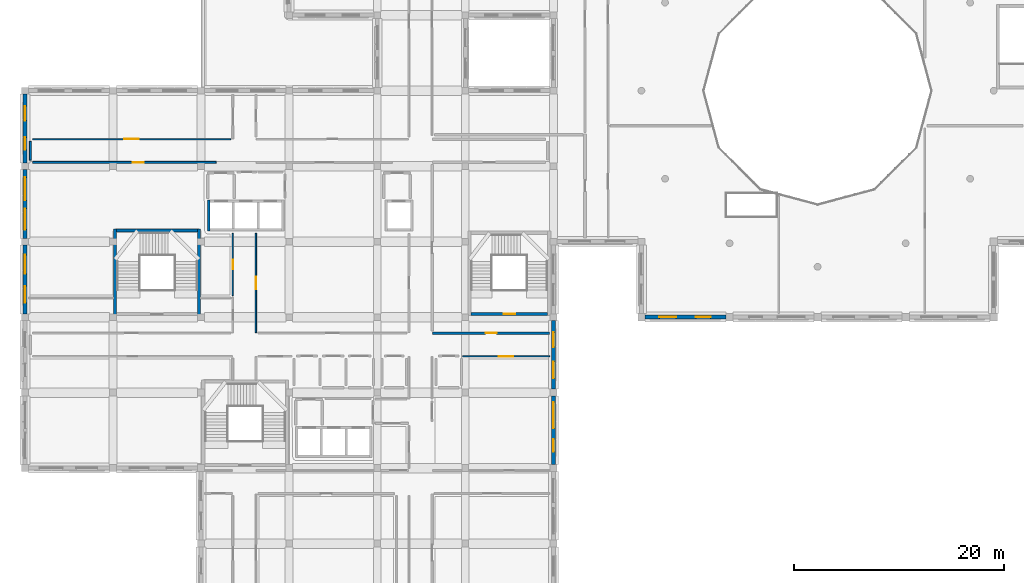
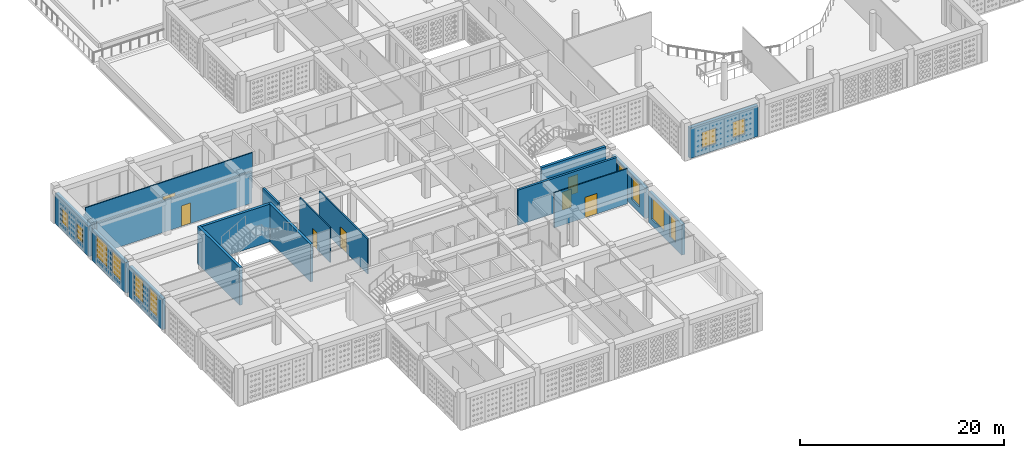
# One storey, part 7 of 47: 18 walls, 12 windows, 7 doors, 19 openings.
"""IFC4 building model written with IfcOpenShell, lengths in metres."""

from ifc_helpers import new_model, si_unit, derived_unit, direction, frame, frame_2d, origin, place, context, subcontext, project, spatial, rectangle, extrude, material, layer, layer_set, type_object, element, fill, save


model = new_model("IFC4")

# Units and contexts
model_context = context("Model", 3, precision=1e-05, world=origin(), true_north=direction((0.0, 1.0)))
body_context = subcontext(model_context, "Body", "Model", "MODEL_VIEW")
ifc_project = project(units=[si_unit("LENGTHUNIT", "METRE"), si_unit("AREAUNIT", "SQUARE_METRE"), si_unit("VOLUMEUNIT", "CUBIC_METRE"), si_unit("PLANEANGLEUNIT", "RADIAN"), si_unit("MASSUNIT", "GRAM", prefix="KILO"), derived_unit("THERMALTRANSMITTANCEUNIT", [(si_unit("POWERUNIT", "WATT"), 1), (si_unit("LENGTHUNIT", "METRE"), -2), (si_unit("THERMODYNAMICTEMPERATUREUNIT", "KELVIN"), -1)])], contexts=[model_context])

# Site, building, storey
site_placement = place(None, origin())
site = spatial("IfcSite", under=ifc_project, at=site_placement, CompositionType="ELEMENT")
building_placement = place(site_placement, origin())
building = spatial("IfcBuilding", under=site, at=building_placement, Name="Veybourne Emporium", CompositionType="ELEMENT")
storey_placement = place(building_placement, frame((0.0, 0.0, 23.39990234375)))
storey = spatial("IfcBuildingStorey", under=building, at=storey_placement, Name="L05", CompositionType="ELEMENT", Elevation=23.39990234375)

# Wall, openings, windows
ifc_material_1 = material(Name="Portland Limestone Ashlar", Category="masonry")
ifc_layer_1 = layer(ifc_material_1, 0.3798828125)
ifc_layer_set_1 = layer_set([ifc_layer_1], Name="Portland Limestone Ashlar")
wall_type_1 = type_object("IfcWallType", Name="ExtWall_EW-03", PredefinedType="SOLIDWALL", material=ifc_layer_set_1)
wall_1_placement = place(storey_placement, frame((0.0, 29.125, 0.0), z_axis=(0.0, 0.0, 1.0), x_axis=(0.0, 1.0, 0.0)))
wall_1 = element("IfcWall", 1, at=wall_1_placement, inside=storey, type_object=wall_type_1, Name="L05 Portland stone external wall 004", PredefinedType="SOLIDWALL", context=body_context, shape_type="SweptSolid", body=[
    extrude(rectangle(XDim=6.550048828125, YDim=0.3798828125, at=frame_2d((3.27490234375, 0.0))), origin(), (0.0, 0.0, 1.0), 3.66015625),
])
opening_1_placement = place(wall_1_placement, frame((1.033935546875, 0.0, 0.75)))
opening_1 = element("IfcOpeningElement", 2, at=opening_1_placement, cuts=wall_1, Name="Opening W-51", PredefinedType="OPENING", context=body_context, shape_type="SweptSolid", body=[
    extrude(rectangle(XDim=1.60009765625, YDim=2.760009765625, at=frame_2d((0.800048828125, 1.3798828125))), frame((0.0, 0.2099609375, 0.0), z_axis=(0.0, -1.0, 0.0), x_axis=(1.0, 0.0, 0.0)), (0.0, 0.0, 1.0), 0.419921875),
])
opening_2_placement = place(wall_1_placement, frame((3.81591796875, 0.0, 0.75)))
opening_2 = element("IfcOpeningElement", 3, at=opening_2_placement, cuts=wall_1, Name="Opening W-52", PredefinedType="OPENING", context=body_context, shape_type="SweptSolid", body=[
    extrude(rectangle(XDim=1.800048828125, YDim=2.760009765625, at=frame_2d((0.89990234375, 1.3798828125))), frame((0.0, 0.2099609375, 0.0), z_axis=(0.0, -1.0, 0.0), x_axis=(1.0, 0.0, 0.0)), (0.0, 0.0, 1.0), 0.419921875),
])
ifc_material_2 = material(Name="Low-E Triple Glazing", Category="glass")
window_type_1 = type_object("IfcWindowType", Name="Win_W-51", PartitioningType="DOUBLE_PANEL_VERTICAL", PredefinedType="WINDOW", material=ifc_material_2)
window_1_placement = place(opening_1_placement, origin())
window_1 = element("IfcWindow", 4, at=window_1_placement, inside=storey, type_object=window_type_1, Name="L05 tripartite bronze casement window W-51 (4.1)", OverallHeight=2.760009765625, OverallWidth=1.60009765625, PartitioningType="DOUBLE_PANEL_VERTICAL", PredefinedType="WINDOW", context=body_context, shape_type="SweptSolid", body=[
    extrude(rectangle(XDim=1.60009765625, YDim=2.760009765625, at=frame_2d((0.800048828125, 1.3798828125))), frame((0.0, 0.030029296875, 0.0), z_axis=(0.0, -1.0, 0.0), x_axis=(1.0, 0.0, 0.0)), (0.0, 0.0, 1.0), 0.06005859375),
])
fill(opening_1, window_1)
window_type_2 = type_object("IfcWindowType", Name="Win_W-52", PartitioningType="DOUBLE_PANEL_VERTICAL", PredefinedType="WINDOW", material=ifc_material_2)
window_2_placement = place(opening_2_placement, origin())
window_2 = element("IfcWindow", 5, at=window_2_placement, inside=storey, type_object=window_type_2, Name="L05 tripartite bronze casement window W-52 (4.2)", OverallHeight=2.760009765625, OverallWidth=1.800048828125, PartitioningType="DOUBLE_PANEL_VERTICAL", PredefinedType="WINDOW", context=body_context, shape_type="SweptSolid", body=[
    extrude(rectangle(XDim=1.800048828125, YDim=2.760009765625, at=frame_2d((0.89990234375, 1.3798828125))), frame((0.0, 0.030029296875, 0.0), z_axis=(0.0, -1.0, 0.0), x_axis=(1.0, 0.0, 0.0)), (0.0, 0.0, 1.0), 0.06005859375),
])
fill(opening_2, window_2)

wall_2_placement = place(storey_placement, frame((0.0, 36.324951171875, 0.0), z_axis=(0.0, 0.0, 1.0), x_axis=(0.0, 1.0, 0.0)))
wall_2 = element("IfcWall", 6, at=wall_2_placement, inside=storey, type_object=wall_type_1, Name="L05 Portland stone external wall 005", PredefinedType="SOLIDWALL", context=body_context, shape_type="SweptSolid", body=[
    extrude(rectangle(XDim=6.550048828125, YDim=0.3798828125, at=frame_2d((3.27490234375, 0.0))), origin(), (0.0, 0.0, 1.0), 3.66015625),
])
opening_3_placement = place(wall_2_placement, frame((0.833984375, 0.0, 0.75)))
opening_3 = element("IfcOpeningElement", 7, at=opening_3_placement, cuts=wall_2, Name="Opening W-53", PredefinedType="OPENING", context=body_context, shape_type="SweptSolid", body=[
    extrude(rectangle(XDim=2.0, YDim=2.760009765625, at=frame_2d((1.0, 1.3798828125))), frame((0.0, 0.2099609375, 0.0), z_axis=(0.0, -1.0, 0.0), x_axis=(1.0, 0.0, 0.0)), (0.0, 0.0, 1.0), 0.419921875),
])
opening_4_placement = place(wall_2_placement, frame((3.615966796875, 0.0, 0.75)))
opening_4 = element("IfcOpeningElement", 8, at=opening_4_placement, cuts=wall_2, Name="Opening W-54", PredefinedType="OPENING", context=body_context, shape_type="SweptSolid", body=[
    extrude(rectangle(XDim=2.199951171875, YDim=2.760009765625, at=frame_2d((1.10009765625, 1.3798828125))), frame((0.0, 0.2099609375, 0.0), z_axis=(0.0, -1.0, 0.0), x_axis=(1.0, 0.0, 0.0)), (0.0, 0.0, 1.0), 0.419921875),
])
window_type_3 = type_object("IfcWindowType", Name="Win_W-53", PartitioningType="TRIPLE_PANEL_VERTICAL", PredefinedType="WINDOW", material=ifc_material_2)
window_3_placement = place(opening_3_placement, origin())
window_3 = element("IfcWindow", 9, at=window_3_placement, inside=storey, type_object=window_type_3, Name="L05 tripartite bronze casement window W-53 (5.1)", OverallHeight=2.760009765625, OverallWidth=2.0, PartitioningType="TRIPLE_PANEL_VERTICAL", PredefinedType="WINDOW", context=body_context, shape_type="SweptSolid", body=[
    extrude(rectangle(XDim=2.0, YDim=2.760009765625, at=frame_2d((1.0, 1.3798828125))), frame((0.0, 0.030029296875, 0.0), z_axis=(0.0, -1.0, 0.0), x_axis=(1.0, 0.0, 0.0)), (0.0, 0.0, 1.0), 0.06005859375),
])
fill(opening_3, window_3)
window_type_4 = type_object("IfcWindowType", Name="Win_W-54", PartitioningType="TRIPLE_PANEL_VERTICAL", PredefinedType="WINDOW", material=ifc_material_2)
window_4_placement = place(opening_4_placement, origin())
window_4 = element("IfcWindow", 10, at=window_4_placement, inside=storey, type_object=window_type_4, Name="L05 tripartite bronze casement window W-54 (5.2)", OverallHeight=2.760009765625, OverallWidth=2.199951171875, PartitioningType="TRIPLE_PANEL_VERTICAL", PredefinedType="WINDOW", context=body_context, shape_type="SweptSolid", body=[
    extrude(rectangle(XDim=2.199951171875, YDim=2.760009765625, at=frame_2d((1.10009765625, 1.3798828125))), frame((0.0, 0.030029296875, 0.0), z_axis=(0.0, -1.0, 0.0), x_axis=(1.0, 0.0, 0.0)), (0.0, 0.0, 1.0), 0.06005859375),
])
fill(opening_4, window_4)

wall_3_placement = place(storey_placement, frame((0.0, 43.52490234375, 0.0), z_axis=(0.0, 0.0, 1.0), x_axis=(0.0, 1.0, 0.0)))
wall_3 = element("IfcWall", 11, at=wall_3_placement, inside=storey, type_object=wall_type_1, Name="L05 Portland stone external wall 007", PredefinedType="SOLIDWALL", context=body_context, shape_type="SweptSolid", body=[
    extrude(rectangle(XDim=6.550048828125, YDim=0.3798828125, at=frame_2d((3.27490234375, 0.0))), origin(), (0.0, 0.0, 1.0), 3.66015625),
])
opening_5_placement = place(wall_3_placement, frame((1.23388671875, 0.0, 0.75)))
opening_5 = element("IfcOpeningElement", 12, at=opening_5_placement, cuts=wall_3, Name="Opening W-01", PredefinedType="OPENING", context=body_context, shape_type="SweptSolid", body=[
    extrude(rectangle(XDim=1.199951171875, YDim=1.89990234375, at=frame_2d((0.60009765625, 0.949951171875))), frame((0.0, 0.2099609375, 0.0), z_axis=(0.0, -1.0, 0.0), x_axis=(1.0, 0.0, 0.0)), (0.0, 0.0, 1.0), 0.419921875),
])
opening_6_placement = place(wall_3_placement, frame((4.01611328125, 0.0, 0.75)))
opening_6 = element("IfcOpeningElement", 13, at=opening_6_placement, cuts=wall_3, Name="Opening W-02", PredefinedType="OPENING", context=body_context, shape_type="SweptSolid", body=[
    extrude(rectangle(XDim=1.39990234375, YDim=1.89990234375, at=frame_2d((0.699951171875, 0.949951171875))), frame((0.0, 0.2099609375, 0.0), z_axis=(0.0, -1.0, 0.0), x_axis=(1.0, 0.0, 0.0)), (0.0, 0.0, 1.0), 0.419921875),
])
window_type_5 = type_object("IfcWindowType", Name="Win_W-01", PartitioningType="SINGLE_PANEL", PredefinedType="WINDOW", material=ifc_material_2)
window_5_placement = place(opening_5_placement, origin())
window_5 = element("IfcWindow", 14, at=window_5_placement, inside=storey, type_object=window_type_5, Name="L05 tripartite bronze casement window W-01 (7.1)", OverallHeight=1.89990234375, OverallWidth=1.199951171875, PartitioningType="SINGLE_PANEL", PredefinedType="WINDOW", context=body_context, shape_type="SweptSolid", body=[
    extrude(rectangle(XDim=1.199951171875, YDim=1.89990234375, at=frame_2d((0.60009765625, 0.949951171875))), frame((0.0, 0.030029296875, 0.0), z_axis=(0.0, -1.0, 0.0), x_axis=(1.0, 0.0, 0.0)), (0.0, 0.0, 1.0), 0.06005859375),
])
fill(opening_5, window_5)
window_type_6 = type_object("IfcWindowType", Name="Win_W-02", PartitioningType="DOUBLE_PANEL_VERTICAL", PredefinedType="WINDOW", material=ifc_material_2)
window_6_placement = place(opening_6_placement, origin())
window_6 = element("IfcWindow", 15, at=window_6_placement, inside=storey, type_object=window_type_6, Name="L05 tripartite bronze casement window W-02 (7.2)", OverallHeight=1.89990234375, OverallWidth=1.39990234375, PartitioningType="DOUBLE_PANEL_VERTICAL", PredefinedType="WINDOW", context=body_context, shape_type="SweptSolid", body=[
    extrude(rectangle(XDim=1.39990234375, YDim=1.89990234375, at=frame_2d((0.699951171875, 0.949951171875))), frame((0.0, 0.030029296875, 0.0), z_axis=(0.0, -1.0, 0.0), x_axis=(1.0, 0.0, 0.0)), (0.0, 0.0, 1.0), 0.06005859375),
])
fill(opening_6, window_6)

wall_4_placement = place(storey_placement, frame((50.39990234375, 21.27490234375, 0.0), z_axis=(0.0, 0.0, 1.0), x_axis=(0.0, -1.0, 0.0)))
wall_4 = element("IfcWall", 16, at=wall_4_placement, inside=storey, type_object=wall_type_1, Name="L05 Portland stone external wall 029", PredefinedType="SOLIDWALL", context=body_context, shape_type="SweptSolid", body=[
    extrude(rectangle(XDim=6.5498046875, YDim=0.3798828125, at=frame_2d((3.27490234375, 0.0))), origin(), (0.0, 0.0, 1.0), 3.66015625),
])
opening_7_placement = place(wall_4_placement, frame((0.589111328125, 0.0, 0.75)))
opening_7 = element("IfcOpeningElement", 17, at=opening_7_placement, cuts=wall_4, Name="Opening W-40", PredefinedType="OPENING", context=body_context, shape_type="SweptSolid", body=[
    extrude(rectangle(XDim=2.489990234375, YDim=2.6201171875, at=frame_2d((1.2451171875, 1.31005859375))), frame((0.0, 0.2099609375, 0.0), z_axis=(0.0, -1.0, 0.0), x_axis=(1.0, 0.0, 0.0)), (0.0, 0.0, 1.0), 0.419921875),
])
opening_8_placement = place(wall_4_placement, frame((4.115966796875, 0.0, 0.75)))
opening_8 = element("IfcOpeningElement", 18, at=opening_8_placement, cuts=wall_4, Name="Opening W-41", PredefinedType="OPENING", context=body_context, shape_type="SweptSolid", body=[
    extrude(rectangle(XDim=1.199951171875, YDim=2.760009765625, at=frame_2d((0.60009765625, 1.3798828125))), frame((0.0, 0.2099609375, 0.0), z_axis=(0.0, -1.0, 0.0), x_axis=(1.0, 0.0, 0.0)), (0.0, 0.0, 1.0), 0.419921875),
])
window_type_7 = type_object("IfcWindowType", Name="Win_W-40", PartitioningType="TRIPLE_PANEL_VERTICAL", PredefinedType="WINDOW", material=ifc_material_2)
window_7_placement = place(opening_7_placement, origin())
window_7 = element("IfcWindow", 19, at=window_7_placement, inside=storey, type_object=window_type_7, Name="L05 tripartite bronze casement window W-40 (29.1)", OverallHeight=2.6201171875, OverallWidth=2.489990234375, PartitioningType="TRIPLE_PANEL_VERTICAL", PredefinedType="WINDOW", context=body_context, shape_type="SweptSolid", body=[
    extrude(rectangle(XDim=2.489990234375, YDim=2.6201171875, at=frame_2d((1.2451171875, 1.31005859375))), frame((0.0, 0.030029296875, 0.0), z_axis=(0.0, -1.0, 0.0), x_axis=(1.0, 0.0, 0.0)), (0.0, 0.0, 1.0), 0.06005859375),
])
fill(opening_7, window_7)
window_type_8 = type_object("IfcWindowType", Name="Win_W-41", PartitioningType="SINGLE_PANEL", PredefinedType="WINDOW", material=ifc_material_2)
window_8_placement = place(opening_8_placement, origin())
window_8 = element("IfcWindow", 20, at=window_8_placement, inside=storey, type_object=window_type_8, Name="L05 tripartite bronze casement window W-41 (29.2)", OverallHeight=2.760009765625, OverallWidth=1.199951171875, PartitioningType="SINGLE_PANEL", PredefinedType="WINDOW", context=body_context, shape_type="SweptSolid", body=[
    extrude(rectangle(XDim=1.199951171875, YDim=2.760009765625, at=frame_2d((0.60009765625, 1.3798828125))), frame((0.0, 0.030029296875, 0.0), z_axis=(0.0, -1.0, 0.0), x_axis=(1.0, 0.0, 0.0)), (0.0, 0.0, 1.0), 0.06005859375),
])
fill(opening_8, window_8)

wall_5_placement = place(storey_placement, frame((50.39990234375, 28.47509765625, 0.0), z_axis=(0.0, 0.0, 1.0), x_axis=(0.0, -1.0, 0.0)))
wall_5 = element("IfcWall", 21, at=wall_5_placement, inside=storey, type_object=wall_type_1, Name="L05 Portland stone external wall 030", PredefinedType="SOLIDWALL", context=body_context, shape_type="SweptSolid", body=[
    extrude(rectangle(XDim=6.550048828125, YDim=0.3798828125, at=frame_2d((3.27490234375, 0.0))), origin(), (0.0, 0.0, 1.0), 3.66015625),
])
opening_9_placement = place(wall_5_placement, frame((1.134033203125, 0.0, 0.75)))
opening_9 = element("IfcOpeningElement", 22, at=opening_9_placement, cuts=wall_5, Name="Opening W-42", PredefinedType="OPENING", context=body_context, shape_type="SweptSolid", body=[
    extrude(rectangle(XDim=1.39990234375, YDim=2.760009765625, at=frame_2d((0.699951171875, 1.3798828125))), frame((0.0, 0.2099609375, 0.0), z_axis=(0.0, -1.0, 0.0), x_axis=(1.0, 0.0, 0.0)), (0.0, 0.0, 1.0), 0.419921875),
])
opening_10_placement = place(wall_5_placement, frame((3.916015625, 0.0, 0.75)))
opening_10 = element("IfcOpeningElement", 23, at=opening_10_placement, cuts=wall_5, Name="Opening W-43", PredefinedType="OPENING", context=body_context, shape_type="SweptSolid", body=[
    extrude(rectangle(XDim=1.60009765625, YDim=2.760009765625, at=frame_2d((0.800048828125, 1.3798828125))), frame((0.0, 0.2099609375, 0.0), z_axis=(0.0, -1.0, 0.0), x_axis=(1.0, 0.0, 0.0)), (0.0, 0.0, 1.0), 0.419921875),
])
window_type_9 = type_object("IfcWindowType", Name="Win_W-42", PartitioningType="DOUBLE_PANEL_VERTICAL", PredefinedType="WINDOW", material=ifc_material_2)
window_9_placement = place(opening_9_placement, origin())
window_9 = element("IfcWindow", 24, at=window_9_placement, inside=storey, type_object=window_type_9, Name="L05 tripartite bronze casement window W-42 (30.1)", OverallHeight=2.760009765625, OverallWidth=1.39990234375, PartitioningType="DOUBLE_PANEL_VERTICAL", PredefinedType="WINDOW", context=body_context, shape_type="SweptSolid", body=[
    extrude(rectangle(XDim=1.39990234375, YDim=2.760009765625, at=frame_2d((0.699951171875, 1.3798828125))), frame((0.0, 0.030029296875, 0.0), z_axis=(0.0, -1.0, 0.0), x_axis=(1.0, 0.0, 0.0)), (0.0, 0.0, 1.0), 0.06005859375),
])
fill(opening_9, window_9)
window_type_10 = type_object("IfcWindowType", Name="Win_W-43", PartitioningType="DOUBLE_PANEL_VERTICAL", PredefinedType="WINDOW", material=ifc_material_2)
window_10_placement = place(opening_10_placement, origin())
window_10 = element("IfcWindow", 25, at=window_10_placement, inside=storey, type_object=window_type_10, Name="L05 tripartite bronze casement window W-43 (30.2)", OverallHeight=2.760009765625, OverallWidth=1.60009765625, PartitioningType="DOUBLE_PANEL_VERTICAL", PredefinedType="WINDOW", context=body_context, shape_type="SweptSolid", body=[
    extrude(rectangle(XDim=1.60009765625, YDim=2.760009765625, at=frame_2d((0.800048828125, 1.3798828125))), frame((0.0, 0.030029296875, 0.0), z_axis=(0.0, -1.0, 0.0), x_axis=(1.0, 0.0, 0.0)), (0.0, 0.0, 1.0), 0.06005859375),
])
fill(opening_10, window_10)

wall_6_placement = place(storey_placement, frame((66.85009765625, 28.800048828125, 0.0), z_axis=(0.0, 0.0, 1.0), x_axis=(-1.0, 0.0, 0.0)))
wall_6 = element("IfcWall", 26, at=wall_6_placement, inside=storey, type_object=wall_type_1, Name="L05 Portland stone external wall 038", PredefinedType="SOLIDWALL", context=body_context, shape_type="SweptSolid", body=[
    extrude(rectangle(XDim=7.7001953125, YDim=0.3798828125, at=frame_2d((3.85009765625, 0.0))), origin(), (0.0, 0.0, 1.0), 3.66015625),
])
opening_11_placement = place(wall_6_placement, frame((1.4560546875, 0.0, 0.75)))
opening_11 = element("IfcOpeningElement", 27, at=opening_11_placement, cuts=wall_6, Name="Opening W-02", PredefinedType="OPENING", context=body_context, shape_type="SweptSolid", body=[
    extrude(rectangle(XDim=1.39990234375, YDim=1.89990234375, at=frame_2d((0.699951171875, 0.949951171875))), frame((0.0, 0.2099609375, 0.0), z_axis=(0.0, -1.0, 0.0), x_axis=(1.0, 0.0, 0.0)), (0.0, 0.0, 1.0), 0.419921875),
])
opening_12_placement = place(wall_6_placement, frame((4.743896484375, 0.0, 0.75)))
opening_12 = element("IfcOpeningElement", 28, at=opening_12_placement, cuts=wall_6, Name="Opening W-03", PredefinedType="OPENING", context=body_context, shape_type="SweptSolid", body=[
    extrude(rectangle(XDim=1.60009765625, YDim=1.89990234375, at=frame_2d((0.800048828125, 0.949951171875))), frame((0.0, 0.2099609375, 0.0), z_axis=(0.0, -1.0, 0.0), x_axis=(1.0, 0.0, 0.0)), (0.0, 0.0, 1.0), 0.419921875),
])
window_11_placement = place(opening_11_placement, origin())
window_11 = element("IfcWindow", 29, at=window_11_placement, inside=storey, type_object=window_type_6, Name="L05 tripartite bronze casement window W-02 (38.1)", OverallHeight=1.89990234375, OverallWidth=1.39990234375, PartitioningType="DOUBLE_PANEL_VERTICAL", PredefinedType="WINDOW", context=body_context, shape_type="SweptSolid", body=[
    extrude(rectangle(XDim=1.39990234375, YDim=1.89990234375, at=frame_2d((0.699951171875, 0.949951171875))), frame((0.0, 0.030029296875, 0.0), z_axis=(0.0, -1.0, 0.0), x_axis=(1.0, 0.0, 0.0)), (0.0, 0.0, 1.0), 0.06005859375),
])
fill(opening_11, window_11)
window_type_11 = type_object("IfcWindowType", Name="Win_W-03", PartitioningType="DOUBLE_PANEL_VERTICAL", PredefinedType="WINDOW", material=ifc_material_2)
window_12_placement = place(opening_12_placement, origin())
window_12 = element("IfcWindow", 30, at=window_12_placement, inside=storey, type_object=window_type_11, Name="L05 tripartite bronze casement window W-03 (38.2)", OverallHeight=1.89990234375, OverallWidth=1.60009765625, PartitioningType="DOUBLE_PANEL_VERTICAL", PredefinedType="WINDOW", context=body_context, shape_type="SweptSolid", body=[
    extrude(rectangle(XDim=1.60009765625, YDim=1.89990234375, at=frame_2d((0.800048828125, 0.949951171875))), frame((0.0, 0.030029296875, 0.0), z_axis=(0.0, -1.0, 0.0), x_axis=(1.0, 0.0, 0.0)), (0.0, 0.0, 1.0), 0.06005859375),
])
fill(opening_12, window_12)

# Walls
ifc_material_3 = material(Name="Concrete C40/50", Category="concrete")
ifc_layer_2 = layer(ifc_material_3, 0.300048828125)
ifc_layer_set_2 = layer_set([ifc_layer_2], Name="Concrete C40/50")
wall_type_2 = type_object("IfcWallType", Name="IntWall_CW-03", PredefinedType="SHEAR", material=ifc_layer_set_2)
wall_7_placement = place(storey_placement, frame((8.75, 37.050048828125, 0.0), z_axis=(0.0, 0.0, 1.0), x_axis=(1.0, 0.0, 0.0)))
element("IfcWall", 31, at=wall_7_placement, inside=storey, type_object=wall_type_2, Name="Core stair ST-02 north shear wall (L05)", PredefinedType="SHEAR", context=body_context, shape_type="SweptSolid", body=[
    extrude(rectangle(XDim=7.699951171875, YDim=0.300048828125, at=frame_2d((3.85009765625, 0.0))), origin(), (0.0, 0.0, 1.0), 4.5),
])
for number, where, z_axis, x_axis, name in (
    (32, (8.60009765625, 37.199951171875, 0.0), (0.0, 0.0, 1.0), (0.0, -1.0, 0.0), "Core stair ST-02 west shear wall (L05)"),
    (33, (16.60009765625, 28.949951171875, 0.0), (0.0, 0.0, 1.0), (0.0, 1.0, 0.0), "Core stair ST-02 east shear wall (L05)"),
):
    element("IfcWall", number, at=place(storey_placement, frame(where, z_axis=z_axis, x_axis=x_axis)), inside=storey, type_object=wall_type_2, Name=name, PredefinedType="SHEAR", context=body_context, shape_type="SweptSolid", body=[
        extrude(rectangle(XDim=8.25, YDim=0.300048828125, at=frame_2d((4.125, 0.0))), origin(), (0.0, 0.0, 1.0), 4.5),
    ])

# Wall, opening, door
wall_8_placement = place(storey_placement, frame((49.85009765625, 29.10009765625, 0.0), z_axis=(0.0, 0.0, 1.0), x_axis=(-1.0, 0.0, 0.0)))
wall_8 = element("IfcWall", 34, at=wall_8_placement, inside=storey, type_object=wall_type_2, Name="Core stair ST-05 south shear wall (L05)", PredefinedType="SHEAR", context=body_context, shape_type="SweptSolid", body=[
    extrude(rectangle(XDim=7.300048828125, YDim=0.300048828125, at=frame_2d((3.64990234375, 0.0))), origin(), (0.0, 0.0, 1.0), 4.5),
])
opening_13_placement = place(wall_8_placement, frame((3.10009765625, 0.0, 0.0)))
opening_13 = element("IfcOpeningElement", 35, at=opening_13_placement, cuts=wall_8, Name="Opening FD-01", PredefinedType="OPENING", context=body_context, shape_type="SweptSolid", body=[
    extrude(rectangle(XDim=1.10009765625, YDim=2.199951171875, at=frame_2d((0.550048828125, 1.10009765625))), frame((0.0, 0.169921875, 0.0), z_axis=(0.0, -1.0, 0.0), x_axis=(1.0, 0.0, 0.0)), (0.0, 0.0, 1.0), 0.340087890625),
])
ifc_material_4 = material(Name="Patinated Architectural Bronze", Category="bronze")
door_type_1 = type_object("IfcDoorType", Name="FireDoor_FD-01", OperationType="NOTDEFINED", PredefinedType="DOOR", material=ifc_material_4)
door_1_placement = place(opening_13_placement, origin())
door_1 = element("IfcDoor", 36, at=door_1_placement, inside=storey, type_object=door_type_1, Name="Stair ST-05 fire door (L05)", OperationType="SINGLE_SWING_LEFT", OverallHeight=2.199951171875, OverallWidth=1.10009765625, PredefinedType="DOOR", context=body_context, shape_type="SweptSolid", body=[
    extrude(rectangle(XDim=1.10009765625, YDim=2.199951171875, at=frame_2d((0.550048828125, 1.10009765625))), frame((0.0, 0.02490234375, 0.0), z_axis=(0.0, -1.0, 0.0), x_axis=(1.0, 0.0, 0.0)), (0.0, 0.0, 1.0), 0.050048828125),
])
fill(opening_13, door_1)

# Wall
ifc_layer_3 = layer(ifc_material_3, 0.239990234375)
ifc_layer_set_3 = layer_set([ifc_layer_3], Name="Concrete C40/50")
wall_type_3 = type_object("IfcWallType", Name="IntWall_CW-04", PredefinedType="SHEAR", material=ifc_layer_set_3)
wall_9_placement = place(storey_placement, frame((17.5400390625, 39.989990234375, 0.0), z_axis=(0.0, 0.0, 1.0), x_axis=(0.0, -1.0, 0.0)))
element("IfcWall", 37, at=wall_9_placement, inside=storey, type_object=wall_type_3, Name="Lift core C2 west shaft wall (L05)", PredefinedType="SHEAR", context=body_context, shape_type="SweptSolid", body=[
    extrude(rectangle(XDim=2.97998046875, YDim=0.239990234375, at=frame_2d((1.489990234375, 0.0))), origin(), (0.0, 0.0, 1.0), 4.210205078125),
])

# Wall, opening, door
ifc_material_5 = material(Name="Concrete C32/40", Category="concrete")
ifc_layer_4 = layer(ifc_material_5, 0.25)
ifc_layer_set_4 = layer_set([ifc_layer_4], Name="Concrete C32/40")
wall_type_4 = type_object("IfcWallType", Name="IntWall_FW-01", PredefinedType="SOLIDWALL", material=ifc_layer_set_4)
wall_10_placement = place(storey_placement, frame((38.8798828125, 27.280029296875, 0.0), z_axis=(0.0, 0.0, 1.0), x_axis=(1.0, 0.0, 0.0)))
wall_10 = element("IfcWall", 38, at=wall_10_placement, inside=storey, type_object=wall_type_4, Name="L05 interior partition FW-01 #030", PredefinedType="SOLIDWALL", context=body_context, shape_type="SweptSolid", body=[
    extrude(rectangle(XDim=11.150146484375, YDim=0.25, at=frame_2d((5.5751953125, 0.0))), origin(), (0.0, 0.0, 1.0), 4.210205078125),
])
opening_14_placement = place(wall_10_placement, frame((5.050048828125, 0.0, 0.0)))
opening_14 = element("IfcOpeningElement", 39, at=opening_14_placement, cuts=wall_10, Name="Opening FD-02", PredefinedType="OPENING", context=body_context, shape_type="SweptSolid", body=[
    extrude(rectangle(XDim=1.050048828125, YDim=2.14990234375, at=frame_2d((0.52490234375, 1.074951171875))), frame((0.0, 0.14501953125, 0.0), z_axis=(0.0, -1.0, 0.0), x_axis=(1.0, 0.0, 0.0)), (0.0, 0.0, 1.0), 0.2900390625),
])
door_type_2 = type_object("IfcDoorType", Name="FireDoor_FD-02", OperationType="NOTDEFINED", PredefinedType="DOOR", material=ifc_material_4)
door_2_placement = place(opening_14_placement, origin())
door_2 = element("IfcDoor", 40, at=door_2_placement, inside=storey, type_object=door_type_2, Name="L05 interior door FD-02 (PART-L05-030)", OperationType="SINGLE_SWING_LEFT", OverallHeight=2.14990234375, OverallWidth=1.050048828125, PredefinedType="DOOR", context=body_context, shape_type="SweptSolid", body=[
    extrude(rectangle(XDim=1.050048828125, YDim=2.14990234375, at=frame_2d((0.52490234375, 1.074951171875))), frame((0.0, 0.02490234375, 0.0), z_axis=(0.0, -1.0, 0.0), x_axis=(1.0, 0.0, 0.0)), (0.0, 0.0, 1.0), 0.050048828125),
])
fill(opening_14, door_2)

ifc_material_6 = material(Name="Gypsum Acoustic Board", Category="gypsum")
ifc_layer_5 = layer(ifc_material_6, 0.179931640625)
ifc_layer_set_5 = layer_set([ifc_layer_5], Name="Gypsum Acoustic Board")
wall_type_5 = type_object("IfcWallType", Name="IntWall_IW-01", PredefinedType="PARTITIONING", material=ifc_layer_set_5)
wall_11_placement = place(storey_placement, frame((0.72998046875, 43.570068359375, 0.0), z_axis=(0.0, 0.0, 1.0), x_axis=(1.0, 0.0, 0.0)))
wall_11 = element("IfcWall", 41, at=wall_11_placement, inside=storey, type_object=wall_type_5, Name="L05 interior partition IW-01 #006", PredefinedType="PARTITIONING", context=body_context, shape_type="SweptSolid", body=[
    extrude(rectangle(XDim=17.500244140625, YDim=0.179931640625, at=frame_2d((8.75, 0.0))), origin(), (0.0, 0.0, 1.0), 3.760009765625),
])
opening_15_placement = place(wall_11_placement, frame((9.546875, 0.0, 0.0)))
opening_15 = element("IfcOpeningElement", 42, at=opening_15_placement, cuts=wall_11, Name="Opening D-32", PredefinedType="OPENING", context=body_context, shape_type="SweptSolid", body=[
    extrude(rectangle(XDim=1.0400390625, YDim=2.449951171875, at=frame_2d((0.52001953125, 1.22509765625))), frame((0.0, 0.10986328125, 0.0), z_axis=(0.0, -1.0, 0.0), x_axis=(1.0, 0.0, 0.0)), (0.0, 0.0, 1.0), 0.219970703125),
])
ifc_material_7 = material(Name="European Oak Veneer and Bronze", Category="wood")
door_type_3 = type_object("IfcDoorType", Name="IntDoor_D-32", OperationType="NOTDEFINED", PredefinedType="DOOR", material=ifc_material_7)
door_3_placement = place(opening_15_placement, origin())
door_3 = element("IfcDoor", 43, at=door_3_placement, inside=storey, type_object=door_type_3, Name="L05 interior door D-32 (PART-L05-006)", OperationType="SINGLE_SWING_LEFT", OverallHeight=2.449951171875, OverallWidth=1.0400390625, PredefinedType="DOOR", context=body_context, shape_type="SweptSolid", body=[
    extrude(rectangle(XDim=1.0400390625, YDim=2.449951171875, at=frame_2d((0.52001953125, 1.22509765625))), frame((0.0, 0.02490234375, 0.0), z_axis=(0.0, -1.0, 0.0), x_axis=(1.0, 0.0, 0.0)), (0.0, 0.0, 1.0), 0.050048828125),
])
fill(opening_15, door_3)

# Wall
wall_12_placement = place(storey_placement, frame((0.52001953125, 43.780029296875, 0.0), z_axis=(0.0, 0.0, 1.0), x_axis=(0.0, 1.0, 0.0)))
element("IfcWall", 44, at=wall_12_placement, inside=storey, type_object=wall_type_5, Name="L05 interior partition IW-01 #090", PredefinedType="PARTITIONING", context=body_context, shape_type="SweptSolid", body=[
    extrude(rectangle(XDim=1.7900390625, YDim=0.179931640625, at=frame_2d((0.89501953125, 0.0))), origin(), (0.0, 0.0, 1.0), 3.66015625),
])

# Wall, opening, door
ifc_layer_6 = layer(ifc_material_6, 0.14990234375)
ifc_layer_set_6 = layer_set([ifc_layer_6], Name="Gypsum Acoustic Board")
wall_type_6 = type_object("IfcWallType", Name="IntWall_IW-02", PredefinedType="PARTITIONING", material=ifc_layer_set_6)
wall_13_placement = place(storey_placement, frame((22.030029296875, 27.330078125, 0.0), z_axis=(0.0, 0.0, 1.0), x_axis=(0.0, 1.0, 0.0)))
wall_13 = element("IfcWall", 45, at=wall_13_placement, inside=storey, type_object=wall_type_6, Name="L05 interior partition IW-02 #043", PredefinedType="PARTITIONING", context=body_context, shape_type="SweptSolid", body=[
    extrude(rectangle(XDim=9.469970703125, YDim=0.14990234375, at=frame_2d((4.73486328125, 0.0))), origin(), (0.0, 0.0, 1.0), 4.210205078125),
])
opening_16_placement = place(wall_13_placement, frame((4.135009765625, 0.0, 0.0)))
opening_16 = element("IfcOpeningElement", 46, at=opening_16_placement, cuts=wall_13, Name="Opening D-33", PredefinedType="OPENING", context=body_context, shape_type="SweptSolid", body=[
    extrude(rectangle(XDim=1.199951171875, YDim=2.449951171875, at=frame_2d((0.60009765625, 1.22509765625))), frame((0.0, 0.094970703125, 0.0), z_axis=(0.0, -1.0, 0.0), x_axis=(1.0, 0.0, 0.0)), (0.0, 0.0, 1.0), 0.18994140625),
])
door_type_4 = type_object("IfcDoorType", Name="IntDoor_D-33", OperationType="NOTDEFINED", PredefinedType="DOOR", material=ifc_material_7)
door_4_placement = place(opening_16_placement, origin())
door_4 = element("IfcDoor", 47, at=door_4_placement, inside=storey, type_object=door_type_4, Name="L05 interior door D-33 (PART-L05-043)", OperationType="SINGLE_SWING_RIGHT", OverallHeight=2.449951171875, OverallWidth=1.199951171875, PredefinedType="DOOR", context=body_context, shape_type="SweptSolid", body=[
    extrude(rectangle(XDim=1.199951171875, YDim=2.449951171875, at=frame_2d((0.60009765625, 1.22509765625))), frame((0.0, 0.02490234375, 0.0), z_axis=(0.0, -1.0, 0.0), x_axis=(1.0, 0.0, 0.0)), (0.0, 0.0, 1.0), 0.050048828125),
])
fill(opening_16, door_4)

ifc_layer_7 = layer(ifc_material_6, 0.1201171875)
ifc_layer_set_7 = layer_set([ifc_layer_7], Name="Gypsum Acoustic Board")
wall_type_7 = type_object("IfcWallType", Name="IntWall_IW-03", PredefinedType="PARTITIONING", material=ifc_layer_set_7)
wall_14_placement = place(storey_placement, frame((0.72998046875, 45.780029296875, 0.0), z_axis=(0.0, 0.0, 1.0), x_axis=(1.0, 0.0, 0.0)))
wall_14 = element("IfcWall", 48, at=wall_14_placement, inside=storey, type_object=wall_type_7, Name="L05 interior partition IW-03 #008", PredefinedType="PARTITIONING", context=body_context, shape_type="SweptSolid", body=[
    extrude(rectangle(XDim=18.880126953125, YDim=0.1201171875, at=frame_2d((9.43994140625, 0.0))), origin(), (0.0, 0.0, 1.0), 4.210205078125),
])
opening_17_placement = place(wall_14_placement, frame((8.760009765625, 0.0, 0.0)))
opening_17 = element("IfcOpeningElement", 49, at=opening_17_placement, cuts=wall_14, Name="Opening D-34", PredefinedType="OPENING", context=body_context, shape_type="SweptSolid", body=[
    extrude(rectangle(XDim=1.360107421875, YDim=2.449951171875, at=frame_2d((0.68017578125, 1.22509765625))), frame((0.0, 0.080078125, 0.0), z_axis=(0.0, -1.0, 0.0), x_axis=(1.0, 0.0, 0.0)), (0.0, 0.0, 1.0), 0.16015625),
])
door_type_5 = type_object("IfcDoorType", Name="IntDoor_D-34", OperationType="NOTDEFINED", PredefinedType="DOOR", material=ifc_material_7)
door_5_placement = place(opening_17_placement, origin())
door_5 = element("IfcDoor", 50, at=door_5_placement, inside=storey, type_object=door_type_5, Name="L05 interior door D-34 (PART-L05-008)", OperationType="SINGLE_SWING_LEFT", OverallHeight=2.449951171875, OverallWidth=1.360107421875, PredefinedType="DOOR", context=body_context, shape_type="SweptSolid", body=[
    extrude(rectangle(XDim=1.360107421875, YDim=2.449951171875, at=frame_2d((0.68017578125, 1.22509765625))), frame((0.0, 0.02490234375, 0.0), z_axis=(0.0, -1.0, 0.0), x_axis=(1.0, 0.0, 0.0)), (0.0, 0.0, 1.0), 0.050048828125),
])
fill(opening_17, door_5)

wall_15_placement = place(storey_placement, frame((41.735107421875, 25.070068359375, 0.0), z_axis=(0.0, 0.0, 1.0), x_axis=(1.0, 0.0, 0.0)))
wall_15 = element("IfcWall", 51, at=wall_15_placement, inside=storey, type_object=wall_type_7, Name="L05 interior partition IW-03 #044", PredefinedType="PARTITIONING", context=body_context, shape_type="SweptSolid", body=[
    extrude(rectangle(XDim=8.294921875, YDim=0.1201171875, at=frame_2d((4.1474609375, 0.0))), origin(), (0.0, 0.0, 1.0), 4.210205078125),
])
opening_18_placement = place(wall_15_placement, frame((3.467529296875, 0.0, 0.0)))
opening_18 = element("IfcOpeningElement", 52, at=opening_18_placement, cuts=wall_15, Name="Opening D-34", PredefinedType="OPENING", context=body_context, shape_type="SweptSolid", body=[
    extrude(rectangle(XDim=1.360107421875, YDim=2.449951171875, at=frame_2d((0.68017578125, 1.22509765625))), frame((0.0, 0.080078125, 0.0), z_axis=(0.0, -1.0, 0.0), x_axis=(1.0, 0.0, 0.0)), (0.0, 0.0, 1.0), 0.16015625),
])
door_6_placement = place(opening_18_placement, origin())
door_6 = element("IfcDoor", 53, at=door_6_placement, inside=storey, type_object=door_type_5, Name="L05 interior door D-34 (PART-L05-044)", OperationType="SINGLE_SWING_LEFT", OverallHeight=2.449951171875, OverallWidth=1.360107421875, PredefinedType="DOOR", context=body_context, shape_type="SweptSolid", body=[
    extrude(rectangle(XDim=1.360107421875, YDim=2.449951171875, at=frame_2d((0.68017578125, 1.22509765625))), frame((0.0, 0.02490234375, 0.0), z_axis=(0.0, -1.0, 0.0), x_axis=(1.0, 0.0, 0.0)), (0.0, 0.0, 1.0), 0.050048828125),
])
fill(opening_18, door_6)

wall_16_placement = place(storey_placement, frame((19.820068359375, 30.85009765625, 0.0), z_axis=(0.0, 0.0, 1.0), x_axis=(0.0, 1.0, 0.0)))
wall_16 = element("IfcWall", 54, at=wall_16_placement, inside=storey, type_object=wall_type_7, Name="L05 interior partition IW-03 #047", PredefinedType="PARTITIONING", context=body_context, shape_type="SweptSolid", body=[
    extrude(rectangle(XDim=5.949951171875, YDim=0.1201171875, at=frame_2d((2.97509765625, 0.0))), origin(), (0.0, 0.0, 1.0), 4.210205078125),
])
opening_19_placement = place(wall_16_placement, frame((2.534912109375, 0.0, 0.0)))
opening_19 = element("IfcOpeningElement", 55, at=opening_19_placement, cuts=wall_16, Name="Opening D-01", PredefinedType="OPENING", context=body_context, shape_type="SweptSolid", body=[
    extrude(rectangle(XDim=0.8798828125, YDim=2.050048828125, at=frame_2d((0.43994140625, 1.02490234375))), frame((0.0, 0.080078125, 0.0), z_axis=(0.0, -1.0, 0.0), x_axis=(1.0, 0.0, 0.0)), (0.0, 0.0, 1.0), 0.16015625),
])
door_type_6 = type_object("IfcDoorType", Name="IntDoor_D-01", OperationType="NOTDEFINED", PredefinedType="DOOR", material=ifc_material_7)
door_7_placement = place(opening_19_placement, origin())
door_7 = element("IfcDoor", 56, at=door_7_placement, inside=storey, type_object=door_type_6, Name="L05 interior door D-01 (PART-L05-047)", OperationType="SINGLE_SWING_RIGHT", OverallHeight=2.050048828125, OverallWidth=0.8798828125, PredefinedType="DOOR", context=body_context, shape_type="SweptSolid", body=[
    extrude(rectangle(XDim=0.8798828125, YDim=2.050048828125, at=frame_2d((0.43994140625, 1.02490234375))), frame((0.0, 0.02490234375, 0.0), z_axis=(0.0, -1.0, 0.0), x_axis=(1.0, 0.0, 0.0)), (0.0, 0.0, 1.0), 0.050048828125),
])
fill(opening_19, door_7)

save(model, "model.ifc")
